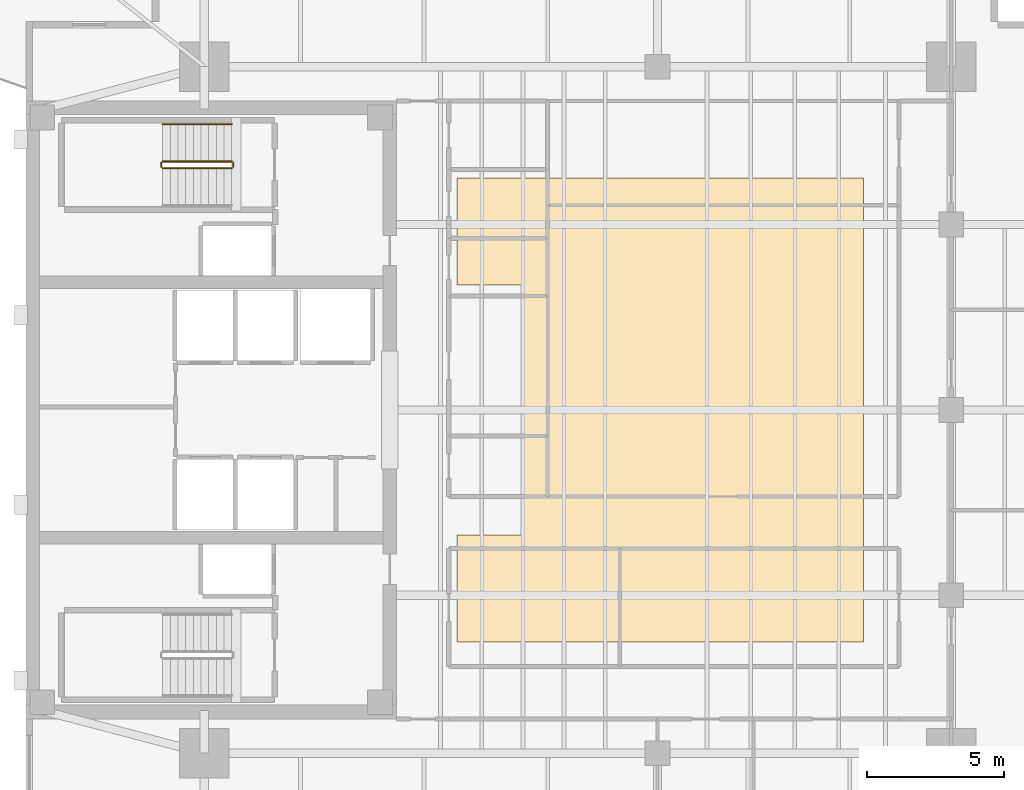
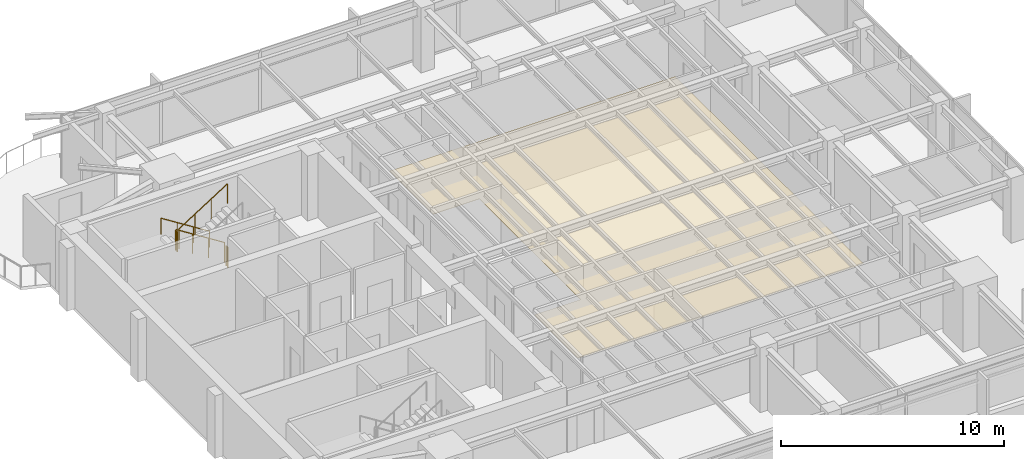
# One storey, part 13 of 14: 5 railings, 1 covering.
"""IFC4 building model written with IfcOpenShell, lengths in metres."""

import ifcopenshell
import ifcopenshell.guid

model = None  # the IFC model being written
_history = None  # IfcOwnerHistory: only IFC2X3 demands one
_inside = {}  # id of a spatial element -> (the spatial element, [elements in it])
_under = {}  # id of a project, library or spatial element -> (it, [spatial elements below it])
_declared = {}  # id of a project -> (the project, [libraries it declares])
_typed = {}  # id of a type object -> (the type object, [elements of that type])
_made_of = {}  # id of a material, layer set ... -> (it, [elements and type objects made of it])


def new_model(schema):
    """Start an empty IFC model of exactly this schema.

    Asked for "IFC4X3", IfcOpenShell would pick the latest addendum, in which some entities
    have other attributes; the version numbers below select the first issue.
    IFC2X3 requires an IfcOwnerHistory on every rooted entity: one is made here for all.
    """
    global model, _history
    if schema == "IFC4X3":
        model = ifcopenshell.file(schema_version=(4, 3, 0, 0))
    else:
        model = ifcopenshell.file(schema=schema)
    _inside.clear()
    _under.clear()
    _declared.clear()
    _typed.clear()
    _made_of.clear()
    _history = None
    if model.schema == "IFC2X3":
        org = make("IfcOrganization", Name="unknown")
        user = make(
            "IfcPersonAndOrganization",
            ThePerson=make("IfcPerson", FamilyName="unknown"),
            TheOrganization=org,
        )
        app = make(
            "IfcApplication",
            ApplicationDeveloper=org,
            Version="unknown",
            ApplicationFullName="unknown",
            ApplicationIdentifier="unknown",
        )
        _history = make(
            "IfcOwnerHistory",
            OwningUser=user,
            OwningApplication=app,
            ChangeAction="ADDED",
            CreationDate=0,
        )
    return model


def make(cls, **values):
    """One entity of the class cls with the attributes given. An attribute that is None is left unset."""
    return model.create_entity(
        cls, **{name: value for name, value in values.items() if value is not None}
    )


def rooted(cls, **values):
    """An entity with a GlobalId (a new one), such as an element, a storey or a relation."""
    return make(cls, GlobalId=ifcopenshell.guid.new(), OwnerHistory=_history, **values)


def si_unit(unit_type, name, prefix=None):
    """IfcSIUnit, for example si_unit("LENGTHUNIT", "METRE", prefix="MILLI")."""
    return make("IfcSIUnit", UnitType=unit_type, Prefix=prefix, Name=name)


def assignment(units):
    """IfcUnitAssignment: the units of a project."""
    return None if units is None else make("IfcUnitAssignment", Units=units)


def point(xyz):
    """IfcCartesianPoint."""
    return None if xyz is None else make("IfcCartesianPoint", Coordinates=xyz)


def direction(xyz):
    """IfcDirection."""
    return None if xyz is None else make("IfcDirection", DirectionRatios=xyz)


def frame(location, z_axis=None, x_axis=None):
    """IfcAxis2Placement3D, a coordinate frame: its origin and axes. An axis left out is left unset."""
    return make(
        "IfcAxis2Placement3D",
        Location=point(location),
        Axis=direction(z_axis),
        RefDirection=direction(x_axis),
    )


def frame_2d(location, x_axis=None):
    """IfcAxis2Placement2D, a coordinate frame in the plane: its origin and x axis."""
    return make(
        "IfcAxis2Placement2D", Location=point(location), RefDirection=direction(x_axis)
    )


def origin():
    """The frame at (0, 0, 0) with its axes left unset."""
    return frame((0.0, 0.0, 0.0))


def origin_2d():
    """The frame at (0, 0) in the plane with its x axis left unset."""
    return frame_2d((0.0, 0.0))


def place(relative_to, where):
    """IfcLocalPlacement: puts the frame where relative to a parent placement (None: the world)."""
    return make(
        "IfcLocalPlacement", PlacementRelTo=relative_to, RelativePlacement=where
    )


def context(
    kind, dimensions, precision=None, world=None, true_north=None, identifier=None
):
    """IfcGeometricRepresentationContext, for example the 3D "Model" context."""
    return make(
        "IfcGeometricRepresentationContext",
        ContextIdentifier=identifier,
        ContextType=kind,
        CoordinateSpaceDimension=dimensions,
        Precision=precision,
        WorldCoordinateSystem=world,
        TrueNorth=true_north,
    )


def subcontext(parent, identifier, kind, view, scale=None):
    """IfcGeometricRepresentationSubContext, for example "Body" below "Model"."""
    return make(
        "IfcGeometricRepresentationSubContext",
        ContextIdentifier=identifier,
        ContextType=kind,
        ParentContext=parent,
        TargetScale=scale,
        TargetView=view,
    )


def project(units=None, contexts=None):
    """IfcProject with its units and contexts."""
    return rooted(
        "IfcProject",
        Name="project",
        RepresentationContexts=contexts,
        UnitsInContext=assignment(units),
    )


def spatial(cls, under=None, at=None, **own):
    """A site, building, storey or space (cls), placed at a placement, below another one or the project."""
    s = rooted(cls, ObjectPlacement=at, **own)
    if under is not None:
        _under.setdefault(under.id(), (under, []))[1].append(s)
    return s


def polyline(points):
    """IfcPolyline through the points."""
    return make("IfcPolyline", Points=[point(p) for p in points])


def profile(cls, at=None, kind="AREA", **sizes):
    """A parametric profile (cls). Its sizes go by their IFC names, for example OverallWidth=200.0."""
    return make(cls, ProfileType=kind, Position=at, **sizes)


def circle(**sizes):
    """IfcCircleProfileDef."""
    return profile("IfcCircleProfileDef", **sizes)


def outline(outer, holes=None, kind="AREA"):
    """IfcArbitraryClosedProfileDef: a profile drawn as a closed curve; with holes, ...WithVoids."""
    if holes is None:
        return make("IfcArbitraryClosedProfileDef", ProfileType=kind, OuterCurve=outer)
    return make(
        "IfcArbitraryProfileDefWithVoids",
        ProfileType=kind,
        OuterCurve=outer,
        InnerCurves=holes,
    )


def extrude(swept, where, along, depth):
    """IfcExtrudedAreaSolid: the profile swept, set in the frame where, extruded along a direction by depth."""
    return make(
        "IfcExtrudedAreaSolid",
        SweptArea=swept,
        Position=where,
        ExtrudedDirection=direction(along),
        Depth=depth,
    )


def shape(context_of_items, identifier, shape_type, items):
    """IfcShapeRepresentation: the items that make up one representation, for example the "Body"."""
    return make(
        "IfcShapeRepresentation",
        ContextOfItems=context_of_items,
        RepresentationIdentifier=identifier,
        RepresentationType=shape_type,
        Items=items,
    )


def material(Name=None, Category=None):
    """IfcMaterial."""
    return make("IfcMaterial", Name=Name, Category=Category)


def layer(
    of_material, thickness, ventilated=None, Name=None, Category=None, Priority=None
):
    """IfcMaterialLayer: one layer of a wall or slab, of a material (None: an air gap)."""
    return make(
        "IfcMaterialLayer",
        Material=of_material,
        LayerThickness=thickness,
        IsVentilated=ventilated,
        Name=Name,
        Category=Category,
        Priority=Priority,
    )


def layer_set(layers, Name=None):
    """IfcMaterialLayerSet."""
    return make("IfcMaterialLayerSet", MaterialLayers=layers, LayerSetName=Name)


def made_of(thing, what):
    """Note that an element or type object is made of a material, layer set ...; save() writes the relation."""
    if what is not None:
        _made_of.setdefault(what.id(), (what, []))[1].append(thing)
    return thing


def type_object(cls, material=None, **own):
    """A type object (cls), such as IfcWallType, which elements share."""
    return made_of(rooted(cls, **own), material)


def element(
    cls,
    number,
    at=None,
    inside=None,
    cuts=None,
    type_object=None,
    material=None,
    context=None,
    identifier="Body",
    shape_type=None,
    held_by="IfcProductDefinitionShape",
    body=None,
    shapes=None,
    **own,
):
    """One element of the class cls, such as IfcWall. Its Tag is "e" and its number.

    at: its placement. inside: the storey or other place that contains it. cuts: it is an
    opening in that element (IfcRelVoidsElement). A single representation is given by context,
    identifier, shape_type and body (its items); several are given by shapes. held_by: the class
    of the entity that holds the representations. save() writes the other relations.
    """
    e = rooted(cls, Tag="e%d" % number, ObjectPlacement=at, **own)
    if body is not None:
        shapes = [shape(context, identifier, shape_type, body)]
    if shapes is not None:
        e.Representation = make(held_by, Representations=shapes)
    if inside is not None:
        _inside.setdefault(inside.id(), (inside, []))[1].append(e)
    if cuts is not None:
        rooted(
            "IfcRelVoidsElement", RelatingBuildingElement=cuts, RelatedOpeningElement=e
        )
    if type_object is not None:
        _typed.setdefault(type_object.id(), (type_object, []))[1].append(e)
    return made_of(e, material)


def aggregate(whole, parts):
    """IfcRelAggregates: a whole, such as a stair, and the parts it consists of."""
    return rooted("IfcRelAggregates", RelatingObject=whole, RelatedObjects=parts)


def save(model, path):
    """Write the relations noted so far, then the file.

    IfcRelAggregates (storeys below a building ...), IfcRelContainedInSpatialStructure (elements
    in a storey), IfcRelDefinesByType, IfcRelAssociatesMaterial and IfcRelDeclares: one each for
    every whole, place, type object, material and project.
    """
    for whole, parts in _under.values():
        aggregate(whole, parts)
    for where, things in _inside.values():
        rooted(
            "IfcRelContainedInSpatialStructure",
            RelatedElements=things,
            RelatingStructure=where,
        )
    for kind, things in _typed.values():
        rooted("IfcRelDefinesByType", RelatedObjects=things, RelatingType=kind)
    for what, things in _made_of.values():
        rooted("IfcRelAssociatesMaterial", RelatedObjects=things, RelatingMaterial=what)
    for by, libraries in _declared.values():
        rooted("IfcRelDeclares", RelatingContext=by, RelatedDefinitions=libraries)
    model.write(path)


model = new_model("IFC4")

# Units and contexts
model_context = context("Model", 3, precision=1e-05, world=origin(), true_north=direction((0.0, 1.0)))
body_context = subcontext(model_context, "Body", "Model", "MODEL_VIEW")
ifc_project = project(units=[si_unit("LENGTHUNIT", "METRE"), si_unit("AREAUNIT", "SQUARE_METRE"), si_unit("VOLUMEUNIT", "CUBIC_METRE"), si_unit("PLANEANGLEUNIT", "RADIAN"), si_unit("MASSUNIT", "GRAM", prefix="KILO")], contexts=[model_context])

# Site, building, storey
site_placement = place(None, origin())
site = spatial("IfcSite", under=ifc_project, at=site_placement, CompositionType="ELEMENT")
building_placement = place(site_placement, origin())
building = spatial("IfcBuilding", under=site, at=building_placement, Name="Kinhvarn Gate Tower", CompositionType="ELEMENT")
storey_placement = place(building_placement, frame((0.0, 0.0, 270.550048828125)))
storey = spatial("IfcBuildingStorey", under=building, at=storey_placement, Name="L72", CompositionType="ELEMENT", Elevation=270.550048828125)

# Covering
ifc_material_1 = material(Name="Mineral-fibre acoustic ceiling tile")
ifc_layer = layer(ifc_material_1, 0.02001953125)
ifc_layer_set = layer_set([ifc_layer], Name="Mineral-fibre acoustic ceiling tile")
covering_type = type_object("IfcCoveringType", Name="COV-CEIL-20", PredefinedType="CEILING", material=ifc_layer_set)
covering_placement = place(storey_placement, frame((0.0, 0.0, 2.64990234375)))
element("IfcCovering", 1, at=covering_placement, inside=storey, type_object=covering_type, Name="Suspended Acoustic Ceiling Tile (L72-1)", PredefinedType="CEILING", context=body_context, shape_type="SweptSolid", body=[
    extrude(outline(polyline([(35.0, 33.699951171875), (35.0, 16.800048828125), (20.199951171875, 16.800048828125), (20.199951171875, 20.699951171875), (22.60009765625, 20.699951171875), (22.60009765625, 29.800048828125), (20.199951171875, 29.800048828125), (20.199951171875, 33.699951171875), (35.0, 33.699951171875)])), origin(), (0.0, 0.0, 1.0), 0.02001953125),
])

# Railings
ifc_material_2 = material(Name="Steel S355", Category="steel")
railing_type_1 = type_object("IfcRailingType", Name="RL-ST-GRD", PredefinedType="BALUSTRADE", material=ifc_material_2)
railing_1_placement = place(storey_placement, frame((12.0, 34.300048828125, 0.177490234375)))
element("IfcRailing", 2, at=railing_1_placement, inside=storey, type_object=railing_type_1, Name="L72 ST2 stair guard 1", PredefinedType="BALUSTRADE", context=body_context, shape_type="SweptSolid", body=[
    extrude(circle(Radius=0.02392578125, at=origin_2d()), frame((0.0, 0.0, 1.076171875), z_axis=(-0.84460694969, 0.0, 0.535386869969), x_axis=(0.0, -1.0, 0.0)), (0.0, 0.0, 1.0), 2.983642578125),
    extrude(circle(Radius=0.02099609375, at=origin_2d()), origin(), (0.0, 0.0, 1.0), 1.052001953125),
    extrude(circle(Radius=0.02099609375, at=origin_2d()), frame((-0.840087890625, 0.0, 0.532470703125)), (0.0, 0.0, 1.0), 1.052001953125),
    extrude(circle(Radius=0.02099609375, at=origin_2d()), frame((-1.679931640625, 0.0, 1.06494140625)), (0.0, 0.0, 1.0), 1.052001953125),
    extrude(circle(Radius=0.02099609375, at=origin_2d()), frame((-2.52001953125, 0.0, 1.597412109375)), (0.0, 0.0, 1.0), 1.052001953125),
])
railing_2_placement = place(storey_placement, frame((9.429931640625, 34.25, 1.77490234375)))
element("IfcRailing", 3, at=railing_2_placement, inside=storey, type_object=railing_type_1, Name="L72 ST2 stair guard 2", PredefinedType="BALUSTRADE", context=body_context, shape_type="SweptSolid", body=[
    extrude(circle(Radius=0.02392578125, at=origin_2d()), frame((0.0, 0.0, 1.076171875), z_axis=(0.0, -1.0, 0.0), x_axis=(1.0, 0.0, 0.0)), (0.0, 0.0, 1.0), 0.14990234375),
    extrude(circle(Radius=0.02099609375, at=origin_2d()), origin(), (0.0, 0.0, 1.0), 1.052001953125),
    extrude(circle(Radius=0.02099609375, at=origin_2d()), frame((0.0, -0.14990234375, 0.0)), (0.0, 0.0, 1.0), 1.052001953125),
])
railing_3_placement = place(storey_placement, frame((9.47998046875, 34.050048828125, 1.952392578125)))
element("IfcRailing", 4, at=railing_3_placement, inside=storey, type_object=railing_type_1, Name="L72 ST2 stair guard 3", PredefinedType="BALUSTRADE", context=body_context, shape_type="SweptSolid", body=[
    extrude(circle(Radius=0.02392578125, at=origin_2d()), frame((0.0, 0.0, 1.076171875), z_axis=(0.84456994832, 0.0, 0.535445237532), x_axis=(0.0, 1.0, 0.0)), (0.0, 0.0, 1.0), 2.98388671875),
    extrude(circle(Radius=0.02099609375, at=origin_2d()), origin(), (0.0, 0.0, 1.0), 1.052001953125),
    extrude(circle(Radius=0.02099609375, at=origin_2d()), frame((0.840087890625, 0.0, 0.532470703125)), (0.0, 0.0, 1.0), 1.052001953125),
    extrude(circle(Radius=0.02099609375, at=origin_2d()), frame((1.679931640625, 0.0, 1.065185546875)), (0.0, 0.0, 1.0), 1.052001953125),
    extrude(circle(Radius=0.02099609375, at=origin_2d()), frame((2.52001953125, 0.0, 1.59765625)), (0.0, 0.0, 1.0), 1.052001953125),
])
railing_4_placement = place(storey_placement, frame((12.050048828125, 34.25, 0.0)))
element("IfcRailing", 5, at=railing_4_placement, inside=storey, type_object=railing_type_1, Name="L72 ST2 stair guard 4", PredefinedType="BALUSTRADE", context=body_context, shape_type="SweptSolid", body=[
    extrude(circle(Radius=0.02392578125, at=origin_2d()), frame((0.0, 0.0, 1.076171875), z_axis=(0.0, -1.0, 0.0), x_axis=(1.0, 0.0, 0.0)), (0.0, 0.0, 1.0), 0.14990234375),
    extrude(circle(Radius=0.02099609375, at=origin_2d()), origin(), (0.0, 0.0, 1.0), 1.052001953125),
    extrude(circle(Radius=0.02099609375, at=origin_2d()), frame((0.0, -0.14990234375, 0.0)), (0.0, 0.0, 1.0), 1.052001953125),
])
railing_type_2 = type_object("IfcRailingType", Name="RL-ST-HND", PredefinedType="HANDRAIL", material=ifc_material_2)
railing_5_placement = place(storey_placement, frame((12.0, 35.64990234375, 0.177490234375)))
element("IfcRailing", 6, at=railing_5_placement, inside=storey, type_object=railing_type_2, Name="L72 ST2 stair handrail 1", PredefinedType="HANDRAIL", context=body_context, shape_type="SweptSolid", body=[
    extrude(circle(Radius=0.02392578125, at=origin_2d()), frame((0.0, 0.0, 0.8759765625), z_axis=(-0.84460694969, 0.0, 0.535386869969), x_axis=(0.0, -1.0, 0.0)), (0.0, 0.0, 1.0), 2.983642578125),
    extrude(circle(Radius=0.02099609375, at=origin_2d()), origin(), (0.0, 0.0, 1.0), 0.851806640625),
    extrude(circle(Radius=0.02099609375, at=origin_2d()), frame((-0.840087890625, 0.0, 0.532470703125)), (0.0, 0.0, 1.0), 0.851806640625),
    extrude(circle(Radius=0.02099609375, at=origin_2d()), frame((-1.679931640625, 0.0, 1.06494140625)), (0.0, 0.0, 1.0), 0.851806640625),
    extrude(circle(Radius=0.02099609375, at=origin_2d()), frame((-2.52001953125, 0.0, 1.597412109375)), (0.0, 0.0, 1.0), 0.851806640625),
])

save(model, "model.ifc")
